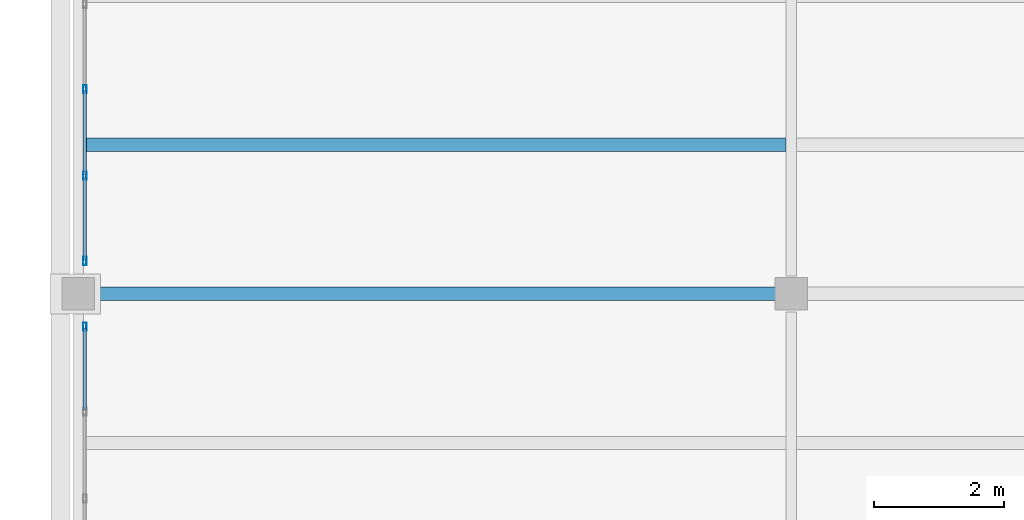
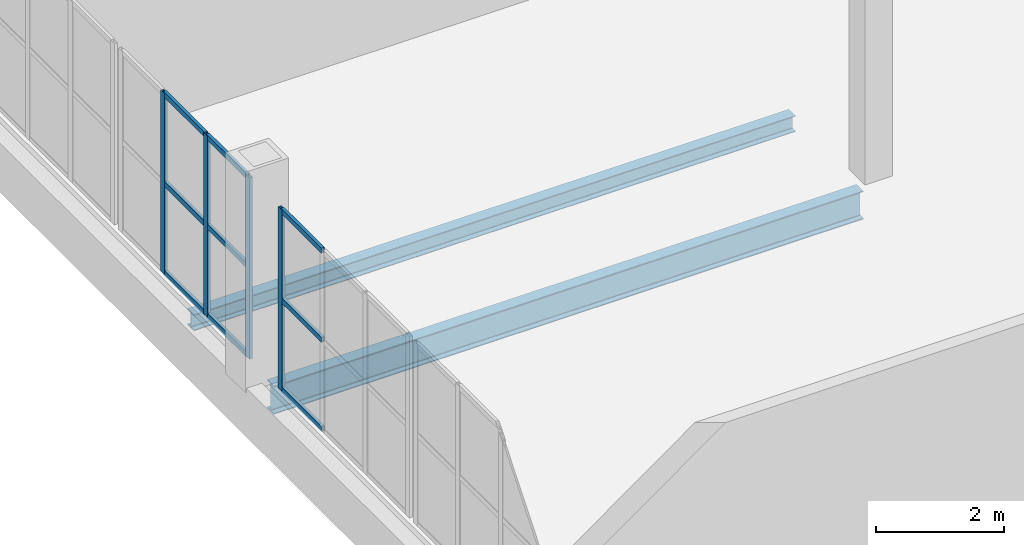
# One storey, part 12 of 26: 13 members, 2 beams, 2 elements without a shape of their own.
"""IFC4 building model written with IfcOpenShell, lengths in metres."""

from ifc_helpers import new_model, si_unit, direction, frame, origin, origin_2d, place, context, subcontext, project, spatial, hollow_rectangle, i_section, extrude, material, material_profile, profile_set, type_object, element, aggregate, save


model = new_model("IFC4")

# Units and contexts
model_context = context("Model", 3, precision=1e-05, world=origin(), true_north=direction((0.0, 1.0)))
body_context = subcontext(model_context, "Body", "Model", "MODEL_VIEW")
ifc_project = project(units=[si_unit("LENGTHUNIT", "METRE"), si_unit("AREAUNIT", "SQUARE_METRE"), si_unit("VOLUMEUNIT", "CUBIC_METRE"), si_unit("PLANEANGLEUNIT", "RADIAN"), si_unit("MASSUNIT", "GRAM", prefix="KILO")], contexts=[model_context])

# Site, building, storey
site_placement = place(None, origin())
site = spatial("IfcSite", under=ifc_project, at=site_placement, CompositionType="ELEMENT")
building_placement = place(site_placement, origin())
building = spatial("IfcBuilding", under=site, at=building_placement, Name="Caurita Quay Ferry Terminal", CompositionType="ELEMENT")
storey_placement = place(building_placement, frame((0.0, 0.0, 18.300048828125)))
storey = spatial("IfcBuildingStorey", under=building, at=storey_placement, Name="L04", CompositionType="ELEMENT", Elevation=18.300048828125)

# Beams
ifc_material_1 = material(Name="Structural steel ASTM A992 Gr. 50", Category="steel")
ifc_material_profile_1 = material_profile(ifc_material_1, i_section(OverallWidth=0.210693359375, OverallDepth=0.53857421875, WebThickness=0.01171875, FlangeThickness=0.018798828125, FilletRadius=0.013916015625, at=origin_2d()), Name="W21X73")
ifc_profile_set_1 = profile_set([ifc_material_profile_1], Name="Structural steel ASTM A992 Gr. 50")
beam_type_1 = type_object("IfcBeamType", Name="BM-GR-W21A", PredefinedType="BEAM", material=ifc_profile_set_1)
beam_1_placement = place(storey_placement, frame((0.19140625, 89.39990234375, -0.4892578125), z_axis=(1.0, 0.0, 0.0), x_axis=(0.0, 1.0, 0.0)))
element("IfcBeam", 1, at=beam_1_placement, inside=storey, type_object=beam_type_1, Name="L04 Beam BM-V5-L04-X-2-894", PredefinedType="BEAM", context=body_context, shape_type="SweptSolid", body=[
    extrude(i_section(OverallWidth=0.210693359375, OverallDepth=0.53857421875, WebThickness=0.01171875, FlangeThickness=0.018798828125, FilletRadius=0.013916015625, at=origin_2d()), origin(), (0.0, 0.0, 1.0), 10.6171875),
])
ifc_material_profile_2 = material_profile(ifc_material_1, i_section(OverallWidth=0.20458984375, OverallDepth=0.307373046875, WebThickness=0.008544921875, FlangeThickness=0.0146484375, FilletRadius=0.0126953125, at=origin_2d()), Name="W12X45")
ifc_profile_set_2 = profile_set([ifc_material_profile_2], Name="Structural steel ASTM A992 Gr. 50")
beam_type_2 = type_object("IfcBeamType", Name="BM-JS-W12B", PredefinedType="JOIST", material=ifc_profile_set_2)
beam_2_placement = place(storey_placement, frame((0.083251953125, 91.699951171875, -0.373779296875), z_axis=(1.0, 0.0, 0.0), x_axis=(0.0, 1.0, 0.0)))
element("IfcBeam", 2, at=beam_2_placement, inside=storey, type_object=beam_type_2, Name="L04 Beam JS-V5-L04-005", PredefinedType="JOIST", context=body_context, shape_type="SweptSolid", body=[
    extrude(i_section(OverallWidth=0.20458984375, OverallDepth=0.307373046875, WebThickness=0.008544921875, FlangeThickness=0.0146484375, FilletRadius=0.0126953125, at=origin_2d()), origin(), (0.0, 0.0, 1.0), 10.83349609375),
])

# Curtain wall, member
ifc_material_2 = material(Name="Laminated solar-control insulated glass", Category="glass")
curtain_wall_type = type_object("IfcCurtainWallType", Name="CW-SYS-21", PredefinedType="NOTDEFINED", material=ifc_material_2)
curtain_wall_1_placement = place(storey_placement, origin())
curtain_wall_1 = element("IfcCurtainWall", 3, at=curtain_wall_1_placement, inside=storey, type_object=curtain_wall_type, Name="VTS Watch Panoramic Curtain Wall 145", PredefinedType="NOTDEFINED")
ifc_material_3 = material(Name="Anodized aluminium 6063-T6", Category="aluminium")
ifc_material_profile_3 = material_profile(ifc_material_3, hollow_rectangle(XDim=0.054931640625, YDim=0.125, WallThickness=0.00341796875, at=origin_2d()), Name="ALU-MUL-55X125")
ifc_profile_set_3 = profile_set([ifc_material_profile_3], Name="Anodized aluminium 6063-T6")
member_type_1 = type_object("IfcMemberType", Name="CW-MUL-125", PredefinedType="MULLION", material=ifc_profile_set_3)
member_1_placement = place(storey_placement, frame((0.10009765625, 88.892578125, 0.0), z_axis=(0.0, 0.0, 1.0), x_axis=(-1.0, 0.0, 0.0)))
member_1 = element("IfcMember", 4, at=member_1_placement, type_object=member_type_1, Name="CW-VTS-145 Mullion 4", PredefinedType="MULLION", context=body_context, shape_type="SweptSolid", body=[
    extrude(hollow_rectangle(XDim=0.054931640625, YDim=0.125, WallThickness=0.00341796875, at=origin_2d()), origin(), (0.0, 0.0, 1.0), 3.449951171875),
])

# Curtain wall, members
curtain_wall_2_placement = place(storey_placement, origin())
curtain_wall_2 = element("IfcCurtainWall", 5, at=curtain_wall_2_placement, inside=storey, type_object=curtain_wall_type, Name="VTS Watch Panoramic Curtain Wall 146", PredefinedType="NOTDEFINED")
member_2_placement = place(storey_placement, frame((0.10009765625, 89.907470703125, 0.0), z_axis=(0.0, 0.0, 1.0), x_axis=(-1.0, 0.0, 0.0)))
member_2 = element("IfcMember", 6, at=member_2_placement, type_object=member_type_1, Name="CW-VTS-146 Mullion 1", PredefinedType="MULLION", context=body_context, shape_type="SweptSolid", body=[
    extrude(hollow_rectangle(XDim=0.054931640625, YDim=0.125, WallThickness=0.00341796875, at=origin_2d()), origin(), (0.0, 0.0, 1.0), 3.449951171875),
])
member_3_placement = place(storey_placement, frame((0.10009765625, 91.219970703125, 0.0), z_axis=(0.0, 0.0, 1.0), x_axis=(-1.0, 0.0, 0.0)))
member_3 = element("IfcMember", 7, at=member_3_placement, type_object=member_type_1, Name="CW-VTS-146 Mullion 2", PredefinedType="MULLION", context=body_context, shape_type="SweptSolid", body=[
    extrude(hollow_rectangle(XDim=0.054931640625, YDim=0.125, WallThickness=0.00341796875, at=origin_2d()), origin(), (0.0, 0.0, 1.0), 3.449951171875),
])
member_4_placement = place(storey_placement, frame((0.10009765625, 92.56005859375, 0.0), z_axis=(0.0, 0.0, 1.0), x_axis=(-1.0, 0.0, 0.0)))
member_4 = element("IfcMember", 8, at=member_4_placement, type_object=member_type_1, Name="CW-VTS-146 Mullion 3", PredefinedType="MULLION", context=body_context, shape_type="SweptSolid", body=[
    extrude(hollow_rectangle(XDim=0.054931640625, YDim=0.125, WallThickness=0.00341796875, at=origin_2d()), origin(), (0.0, 0.0, 1.0), 3.449951171875),
])

# Member
ifc_material_profile_4 = material_profile(ifc_material_3, hollow_rectangle(XDim=0.054931640625, YDim=0.10009765625, WallThickness=0.00341796875, at=origin_2d()), Name="ALU-TRN-55X100")
ifc_profile_set_4 = profile_set([ifc_material_profile_4], Name="Anodized aluminium 6063-T6")
member_type_2 = type_object("IfcMemberType", Name="CW-TRN-100", PredefinedType="USERDEFINED", material=ifc_profile_set_4)
member_5_placement = place(storey_placement, frame((0.10009765625, 87.60546875, 0.02734375), z_axis=(0.0, 1.0, 0.0), x_axis=(-1.0, 0.0, 0.0)))
member_5 = element("IfcMember", 9, at=member_5_placement, type_object=member_type_2, Name="CW-VTS-145 Transom 7", ObjectType="TRANSOM", PredefinedType="USERDEFINED", context=body_context, shape_type="SweptSolid", body=[
    extrude(hollow_rectangle(XDim=0.054931640625, YDim=0.10009765625, WallThickness=0.00341796875, at=origin_2d()), origin(), (0.0, 0.0, 1.0), 1.261474609375),
])

member_6_placement = place(storey_placement, frame((0.10009765625, 87.60546875, 1.724853515625), z_axis=(0.0, 1.0, 0.0), x_axis=(-1.0, 0.0, 0.0)))
member_6 = element("IfcMember", 10, at=member_6_placement, type_object=member_type_2, Name="CW-VTS-145 Transom 8", ObjectType="TRANSOM", PredefinedType="USERDEFINED", context=body_context, shape_type="SweptSolid", body=[
    extrude(hollow_rectangle(XDim=0.054931640625, YDim=0.10009765625, WallThickness=0.00341796875, at=origin_2d()), origin(), (0.0, 0.0, 1.0), 1.261474609375),
])

member_7_placement = place(storey_placement, frame((0.10009765625, 87.60546875, 3.42236328125), z_axis=(0.0, 1.0, 0.0), x_axis=(-1.0, 0.0, 0.0)))
member_7 = element("IfcMember", 11, at=member_7_placement, type_object=member_type_2, Name="CW-VTS-145 Transom 9", ObjectType="TRANSOM", PredefinedType="USERDEFINED", context=body_context, shape_type="SweptSolid", body=[
    extrude(hollow_rectangle(XDim=0.054931640625, YDim=0.10009765625, WallThickness=0.00341796875, at=origin_2d()), origin(), (0.0, 0.0, 1.0), 1.261474609375),
])

aggregate(curtain_wall_1, [member_1, member_5, member_6, member_7])

member_8_placement = place(storey_placement, frame((0.10009765625, 89.93310546875, 0.02734375), z_axis=(0.0, 1.0, 0.0), x_axis=(-1.0, 0.0, 0.0)))
member_8 = element("IfcMember", 12, at=member_8_placement, type_object=member_type_2, Name="CW-VTS-146 Transom 1", ObjectType="TRANSOM", PredefinedType="USERDEFINED", context=body_context, shape_type="SweptSolid", body=[
    extrude(hollow_rectangle(XDim=0.054931640625, YDim=0.10009765625, WallThickness=0.00341796875, at=origin_2d()), origin(), (0.0, 0.0, 1.0), 1.261474609375),
])

member_9_placement = place(storey_placement, frame((0.10009765625, 89.93310546875, 1.724853515625), z_axis=(0.0, 1.0, 0.0), x_axis=(-1.0, 0.0, 0.0)))
member_9 = element("IfcMember", 13, at=member_9_placement, type_object=member_type_2, Name="CW-VTS-146 Transom 2", ObjectType="TRANSOM", PredefinedType="USERDEFINED", context=body_context, shape_type="SweptSolid", body=[
    extrude(hollow_rectangle(XDim=0.054931640625, YDim=0.10009765625, WallThickness=0.00341796875, at=origin_2d()), origin(), (0.0, 0.0, 1.0), 1.261474609375),
])

member_10_placement = place(storey_placement, frame((0.10009765625, 89.93310546875, 3.42236328125), z_axis=(0.0, 1.0, 0.0), x_axis=(-1.0, 0.0, 0.0)))
member_10 = element("IfcMember", 14, at=member_10_placement, type_object=member_type_2, Name="CW-VTS-146 Transom 3", ObjectType="TRANSOM", PredefinedType="USERDEFINED", context=body_context, shape_type="SweptSolid", body=[
    extrude(hollow_rectangle(XDim=0.054931640625, YDim=0.10009765625, WallThickness=0.00341796875, at=origin_2d()), origin(), (0.0, 0.0, 1.0), 1.261474609375),
])

member_11_placement = place(storey_placement, frame((0.10009765625, 91.24560546875, 0.02734375), z_axis=(0.0, 1.0, 0.0), x_axis=(-1.0, 0.0, 0.0)))
member_11 = element("IfcMember", 15, at=member_11_placement, type_object=member_type_2, Name="CW-VTS-146 Transom 4", ObjectType="TRANSOM", PredefinedType="USERDEFINED", context=body_context, shape_type="SweptSolid", body=[
    extrude(hollow_rectangle(XDim=0.054931640625, YDim=0.10009765625, WallThickness=0.00341796875, at=origin_2d()), origin(), (0.0, 0.0, 1.0), 1.288818359375),
])

member_12_placement = place(storey_placement, frame((0.10009765625, 91.24560546875, 1.724853515625), z_axis=(0.0, 1.0, 0.0), x_axis=(-1.0, 0.0, 0.0)))
member_12 = element("IfcMember", 16, at=member_12_placement, type_object=member_type_2, Name="CW-VTS-146 Transom 5", ObjectType="TRANSOM", PredefinedType="USERDEFINED", context=body_context, shape_type="SweptSolid", body=[
    extrude(hollow_rectangle(XDim=0.054931640625, YDim=0.10009765625, WallThickness=0.00341796875, at=origin_2d()), origin(), (0.0, 0.0, 1.0), 1.288818359375),
])

member_13_placement = place(storey_placement, frame((0.10009765625, 91.24560546875, 3.42236328125), z_axis=(0.0, 1.0, 0.0), x_axis=(-1.0, 0.0, 0.0)))
member_13 = element("IfcMember", 17, at=member_13_placement, type_object=member_type_2, Name="CW-VTS-146 Transom 6", ObjectType="TRANSOM", PredefinedType="USERDEFINED", context=body_context, shape_type="SweptSolid", body=[
    extrude(hollow_rectangle(XDim=0.054931640625, YDim=0.10009765625, WallThickness=0.00341796875, at=origin_2d()), origin(), (0.0, 0.0, 1.0), 1.288818359375),
])

aggregate(curtain_wall_2, [member_2, member_3, member_4, member_8, member_9, member_10, member_11, member_12, member_13])

save(model, "model.ifc")
